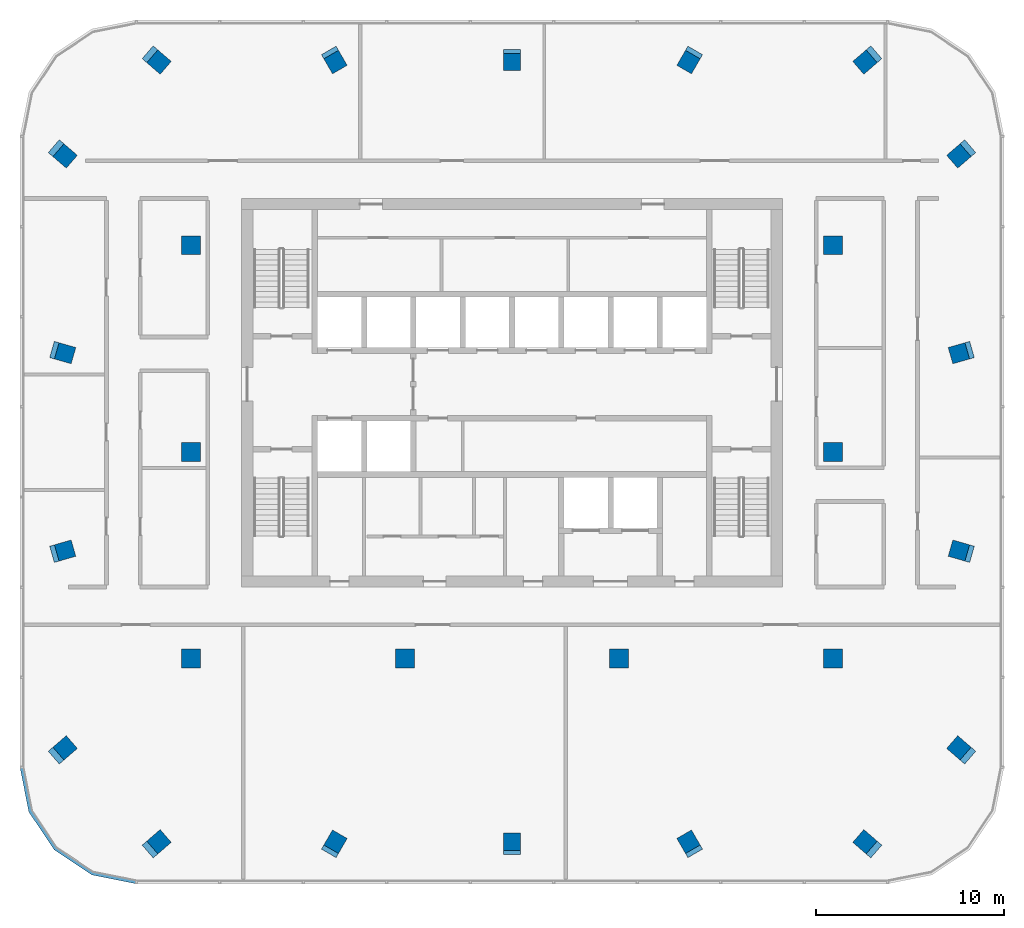
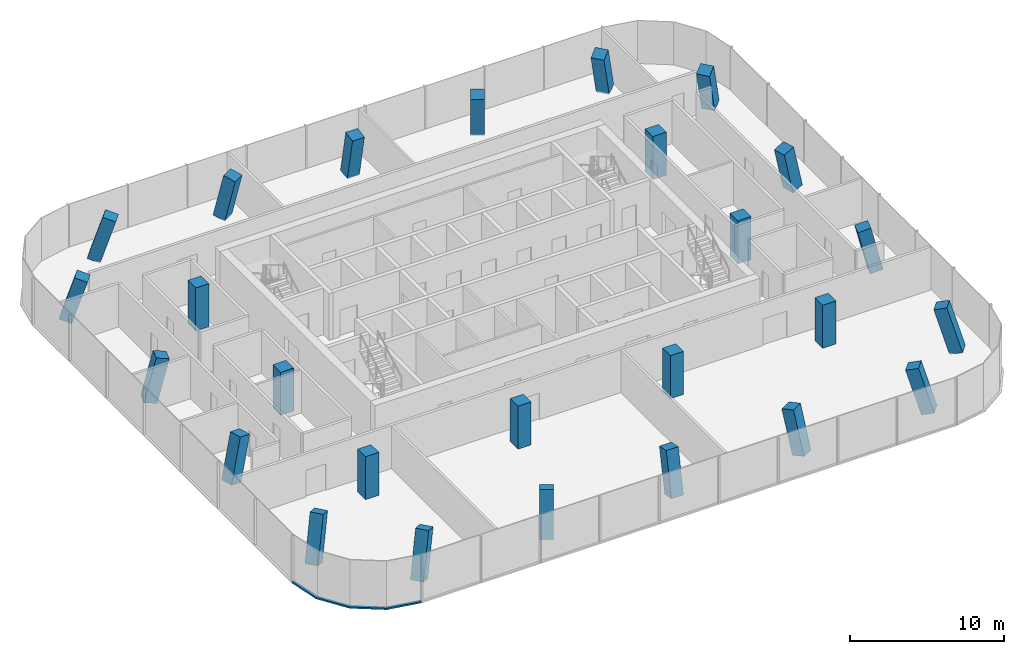
# One storey, part 1 of 11: 26 columns, 1 member, 1 element without a shape of its own.
"""IFC4 building model written with IfcOpenShell, lengths in metres."""

from ifc_helpers import new_model, si_unit, direction, frame, origin, origin_2d, place, context, subcontext, project, spatial, polyline, rectangle, outline, extrude, material, material_profile, profile_set, type_object, element, aggregate, save


model = new_model("IFC4")

# Units and contexts
model_context = context("Model", 3, precision=1e-05, world=origin(), true_north=direction((0.0, 1.0)))
body_context = subcontext(model_context, "Body", "Model", "MODEL_VIEW")
ifc_project = project(units=[si_unit("LENGTHUNIT", "METRE"), si_unit("AREAUNIT", "SQUARE_METRE"), si_unit("VOLUMEUNIT", "CUBIC_METRE"), si_unit("PLANEANGLEUNIT", "RADIAN"), si_unit("MASSUNIT", "GRAM", prefix="KILO")], contexts=[model_context])

# Site, building, storey
site_placement = place(None, origin())
site = spatial("IfcSite", under=ifc_project, at=site_placement, CompositionType="ELEMENT")
building_placement = place(site_placement, origin())
building = spatial("IfcBuilding", under=site, at=building_placement, Name="Mopane Tessera Tower", CompositionType="ELEMENT")
storey_placement = place(building_placement, frame((0.0, 0.0, 333.39990234375)))
storey = spatial("IfcBuildingStorey", under=building, at=storey_placement, Name="L73", CompositionType="ELEMENT", Elevation=333.39990234375)

# Columns
ifc_material_1 = material(Name="Concrete C40/50", Category="concrete")
ifc_material_profile_1 = material_profile(ifc_material_1, rectangle(XDim=1.0, YDim=1.0, at=origin_2d()))
ifc_profile_set_1 = profile_set([ifc_material_profile_1], Name="Concrete C40/50")
column_type_1 = type_object("IfcColumnType", Name="Interior column 1000 x 1000 C40/50", PredefinedType="COLUMN", material=ifc_profile_set_1)
for number, where, z_axis, x_axis, name in (
    (1, (-17.10009765625, -11.0, 0.0), (0.0, 0.0, 1.0), (1.0, 0.0, 0.0), "Interior column I1A L73"),
    (2, (-17.10009765625, 0.0, 0.0), (0.0, 0.0, 1.0), (1.0, 0.0, 0.0), "Interior column I1B L73"),
    (3, (-17.10009765625, 11.0, 0.0), (0.0, 0.0, 1.0), (1.0, 0.0, 0.0), "Interior column I1C L73"),
    (4, (-5.699951171875, -11.0, 0.0), (0.0, 0.0, 1.0), (1.0, 0.0, 0.0), "Interior column I2A L73"),
    (5, (5.699951171875, -11.0, 0.0), (0.0, 0.0, 1.0), (1.0, 0.0, 0.0), "Interior column I3A L73"),
    (6, (17.10009765625, -11.0, 0.0), (0.0, 0.0, 1.0), (1.0, 0.0, 0.0), "Interior column I4A L73"),
    (7, (17.10009765625, 0.0, 0.0), (0.0, 0.0, 1.0), (1.0, 0.0, 0.0), "Interior column I4B L73"),
    (8, (17.10009765625, 11.0, 0.0), (0.0, 0.0, 1.0), (1.0, 0.0, 0.0), "Interior column I4C L73"),
):
    element("IfcColumn", number, at=place(storey_placement, frame(where, z_axis=z_axis, x_axis=x_axis)), inside=storey, type_object=column_type_1, Name=name, PredefinedType="COLUMN", context=body_context, shape_type="SweptSolid", body=[
        extrude(rectangle(XDim=1.0, YDim=1.0, at=origin_2d()), origin(), (0.0, 0.0, 1.0), 3.400146484375),
    ])
ifc_material_2 = material(Name="Concrete C40/50", Category="concrete")
ifc_material_profile_2 = material_profile(ifc_material_2, rectangle(XDim=0.89990234375, YDim=0.89990234375, at=origin_2d()))
ifc_profile_set_2 = profile_set([ifc_material_profile_2], Name="Concrete C40/50")
column_type_2 = type_object("IfcColumnType", Name="Ring column 900 x 900 C40/50", PredefinedType="COLUMN", material=ifc_profile_set_2)
column_1_placement = place(storey_placement, frame((-19.074951171875, -21.0, 0.0), z_axis=(0.221170997512, 0.19123291775, 0.95630191939), x_axis=(-0.654053885671, 0.756447958976, 0.0)))
element("IfcColumn", 9, at=column_1_placement, inside=storey, type_object=column_type_2, Name="Ring column S0 L73", PredefinedType="COLUMN", context=body_context, shape_type="SweptSolid", body=[
    extrude(rectangle(XDim=0.89990234375, YDim=0.89990234375, at=origin_2d()), origin(), (0.0, 0.0, 1.0), 3.555419921875),
])
column_2_placement = place(storey_placement, frame((-9.53759765625, -21.0, 0.0), z_axis=(0.112706165104, 0.194839646068, 0.974338151089), x_axis=(-0.865610650408, 0.500717686825, 0.0)))
element("IfcColumn", 10, at=column_2_placement, inside=storey, type_object=column_type_2, Name="Ring column S1 L73", PredefinedType="COLUMN", context=body_context, shape_type="SweptSolid", body=[
    extrude(rectangle(XDim=0.89990234375, YDim=0.89990234375, at=origin_2d()), origin(), (0.0, 0.0, 1.0), 3.48974609375),
])
column_3_placement = place(storey_placement, frame((0.0, -21.0, 0.0), z_axis=(0.0, 0.19608905468, 0.980586091394), x_axis=(-1.0, 0.0, 0.0)))
element("IfcColumn", 11, at=column_3_placement, inside=storey, type_object=column_type_2, Name="Ring column S2 L73", PredefinedType="COLUMN", context=body_context, shape_type="SweptSolid", body=[
    extrude(rectangle(XDim=0.89990234375, YDim=0.89990234375, at=origin_2d()), origin(), (0.0, 0.0, 1.0), 3.467529296875),
])
column_4_placement = place(storey_placement, frame((9.53759765625, -21.0, 0.0), z_axis=(-0.112706165104, 0.194839646068, 0.974338151089), x_axis=(-0.865610650408, -0.500717686825, 0.0)))
element("IfcColumn", 12, at=column_4_placement, inside=storey, type_object=column_type_2, Name="Ring column S3 L73", PredefinedType="COLUMN", context=body_context, shape_type="SweptSolid", body=[
    extrude(rectangle(XDim=0.89990234375, YDim=0.89990234375, at=origin_2d()), origin(), (0.0, 0.0, 1.0), 3.48974609375),
])
for number, where, z_axis, x_axis, name in (
    (13, (19.074951171875, -21.0, 0.0), (-0.221170997512, 0.19123291775, 0.95630191939), (-0.654053885671, -0.756447958976, 0.0), "Ring column S4 L73"),
    (14, (24.074951171875, -16.0, 0.0), (-0.221170997512, 0.19123291775, 0.95630191939), (-0.654053885671, -0.756447958976, 0.0), "Ring column E0 L73"),
):
    element("IfcColumn", number, at=place(storey_placement, frame(where, z_axis=z_axis, x_axis=x_axis)), inside=storey, type_object=column_type_2, Name=name, PredefinedType="COLUMN", context=body_context, shape_type="SweptSolid", body=[
        extrude(rectangle(XDim=0.89990234375, YDim=0.89990234375, at=origin_2d()), origin(), (0.0, 0.0, 1.0), 3.555419921875),
    ])
for number, where, z_axis, x_axis, name in (
    (15, (24.074951171875, -5.333251953125, 0.0), (-0.224856189503, 0.064783155498, 0.972235998514), (-0.276848151313, -0.960913680366, 0.0), "Ring column E1 L73"),
    (16, (24.074951171875, 5.333251953125, 0.0), (-0.224856189503, -0.064783155498, 0.972235998514), (0.276848151313, -0.960913680366, 0.0), "Ring column E2 L73"),
):
    element("IfcColumn", number, at=place(storey_placement, frame(where, z_axis=z_axis, x_axis=x_axis)), inside=storey, type_object=column_type_2, Name=name, PredefinedType="COLUMN", context=body_context, shape_type="SweptSolid", body=[
        extrude(rectangle(XDim=0.89990234375, YDim=0.89990234375, at=origin_2d()), origin(), (0.0, 0.0, 1.0), 3.497314453125),
    ])
for number, where, z_axis, x_axis, name in (
    (17, (24.074951171875, 16.0, 0.0), (-0.221170997512, -0.19123291775, 0.95630191939), (0.654053885671, -0.756447958976, 0.0), "Ring column E3 L73"),
    (18, (19.074951171875, 21.0, 0.0), (-0.221170997512, -0.19123291775, 0.95630191939), (0.654053885671, -0.756447958976, 0.0), "Ring column N0 L73"),
):
    element("IfcColumn", number, at=place(storey_placement, frame(where, z_axis=z_axis, x_axis=x_axis)), inside=storey, type_object=column_type_2, Name=name, PredefinedType="COLUMN", context=body_context, shape_type="SweptSolid", body=[
        extrude(rectangle(XDim=0.89990234375, YDim=0.89990234375, at=origin_2d()), origin(), (0.0, 0.0, 1.0), 3.555419921875),
    ])
column_5_placement = place(storey_placement, frame((9.53759765625, 21.0, 0.0), z_axis=(-0.112706165104, -0.194839646068, 0.974338151089), x_axis=(0.865610650408, -0.500717686825, 0.0)))
element("IfcColumn", 19, at=column_5_placement, inside=storey, type_object=column_type_2, Name="Ring column N1 L73", PredefinedType="COLUMN", context=body_context, shape_type="SweptSolid", body=[
    extrude(rectangle(XDim=0.89990234375, YDim=0.89990234375, at=origin_2d()), origin(), (0.0, 0.0, 1.0), 3.48974609375),
])
column_6_placement = place(storey_placement, frame((0.0, 21.0, 0.0), z_axis=(0.0, -0.19608905468, 0.980586091394), x_axis=(1.0, 0.0, 0.0)))
element("IfcColumn", 20, at=column_6_placement, inside=storey, type_object=column_type_2, Name="Ring column N2 L73", PredefinedType="COLUMN", context=body_context, shape_type="SweptSolid", body=[
    extrude(rectangle(XDim=0.89990234375, YDim=0.89990234375, at=origin_2d()), origin(), (0.0, 0.0, 1.0), 3.467529296875),
])
column_7_placement = place(storey_placement, frame((-9.53759765625, 21.0, 0.0), z_axis=(0.112706165104, -0.194839646068, 0.974338151089), x_axis=(0.865610650408, 0.500717686825, 0.0)))
element("IfcColumn", 21, at=column_7_placement, inside=storey, type_object=column_type_2, Name="Ring column N3 L73", PredefinedType="COLUMN", context=body_context, shape_type="SweptSolid", body=[
    extrude(rectangle(XDim=0.89990234375, YDim=0.89990234375, at=origin_2d()), origin(), (0.0, 0.0, 1.0), 3.48974609375),
])
for number, where, z_axis, x_axis, name in (
    (22, (-19.074951171875, 21.0, 0.0), (0.221170997512, -0.19123291775, 0.95630191939), (0.654053885671, 0.756447958976, 0.0), "Ring column N4 L73"),
    (23, (-24.074951171875, 16.0, 0.0), (0.221170997512, -0.19123291775, 0.95630191939), (0.654053885671, 0.756447958976, 0.0), "Ring column W0 L73"),
):
    element("IfcColumn", number, at=place(storey_placement, frame(where, z_axis=z_axis, x_axis=x_axis)), inside=storey, type_object=column_type_2, Name=name, PredefinedType="COLUMN", context=body_context, shape_type="SweptSolid", body=[
        extrude(rectangle(XDim=0.89990234375, YDim=0.89990234375, at=origin_2d()), origin(), (0.0, 0.0, 1.0), 3.555419921875),
    ])
for number, where, z_axis, x_axis, name in (
    (24, (-24.074951171875, 5.333251953125, 0.0), (0.224856189503, -0.064783155498, 0.972235998514), (0.276848151313, 0.960913680366, 0.0), "Ring column W1 L73"),
    (25, (-24.074951171875, -5.333251953125, 0.0), (0.224856189503, 0.064783155498, 0.972235998514), (-0.276848151313, 0.960913680366, 0.0), "Ring column W2 L73"),
):
    element("IfcColumn", number, at=place(storey_placement, frame(where, z_axis=z_axis, x_axis=x_axis)), inside=storey, type_object=column_type_2, Name=name, PredefinedType="COLUMN", context=body_context, shape_type="SweptSolid", body=[
        extrude(rectangle(XDim=0.89990234375, YDim=0.89990234375, at=origin_2d()), origin(), (0.0, 0.0, 1.0), 3.497314453125),
    ])
column_8_placement = place(storey_placement, frame((-24.074951171875, -16.0, 0.0), z_axis=(0.221170997512, 0.19123291775, 0.95630191939), x_axis=(-0.654053885671, 0.756447958976, 0.0)))
element("IfcColumn", 26, at=column_8_placement, inside=storey, type_object=column_type_2, Name="Ring column W3 L73", PredefinedType="COLUMN", context=body_context, shape_type="SweptSolid", body=[
    extrude(rectangle(XDim=0.89990234375, YDim=0.89990234375, at=origin_2d()), origin(), (0.0, 0.0, 1.0), 3.555419921875),
])

# Curtain wall, member
ifc_material_3 = material(Name="Aluminium frame", Category="aluminium")
curtain_wall_type = type_object("IfcCurtainWallType", Name="Unitised curtain wall", PredefinedType="NOTDEFINED", material=ifc_material_3)
curtain_wall_placement = place(storey_placement, origin())
curtain_wall = element("IfcCurtainWall", 27, at=curtain_wall_placement, inside=storey, type_object=curtain_wall_type, Name="e:cw:L73:CW", PredefinedType="NOTDEFINED")
ifc_material_4 = material(Name="Aluminium frame", Category="aluminium")
ifc_material_profile_3 = material_profile(ifc_material_4, rectangle(XDim=0.199951171875, YDim=0.1201171875, at=origin_2d()))
ifc_profile_set_3 = profile_set([ifc_material_profile_3], Name="Aluminium frame")
member_type = type_object("IfcMemberType", Name="Aluminium transom 200 x 120", PredefinedType="USERDEFINED", material=ifc_profile_set_3)
member_placement = place(storey_placement, frame((0.0, 0.0, -0.349853515625)))
member = element("IfcMember", 28, at=member_placement, type_object=member_type, Name="e:cw:L73:CW:tr", ObjectType="TRANSOM", PredefinedType="USERDEFINED", context=body_context, shape_type="SweptSolid", body=[
    extrude(outline(polyline([(-26.0, -16.800048828125), (-25.543212890625, -19.09619140625), (-24.24267578125, -21.042724609375), (-22.296142578125, -22.34326171875), (-20.0, -22.800048828125), (-20.0, -23.0), (-22.37255859375, -22.528076171875), (-24.384033203125, -21.18408203125), (-25.72802734375, -19.172607421875), (-26.199951171875, -16.800048828125), (-26.0, -16.800048828125)])), origin(), (0.0, 0.0, 1.0), 0.119873046875),
])
aggregate(curtain_wall, [member])

save(model, "model.ifc")
